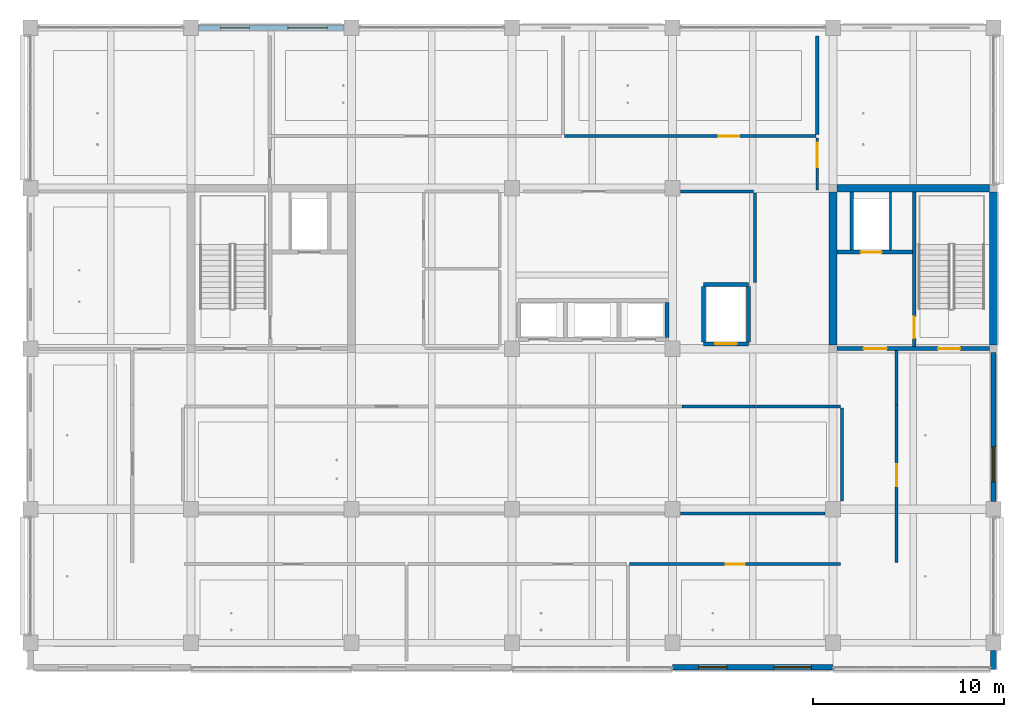
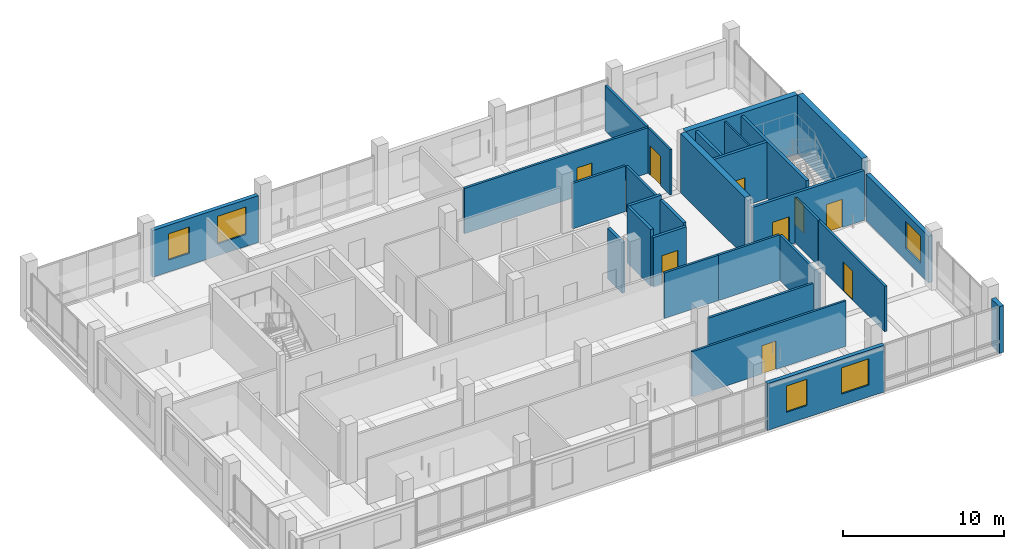
# One storey, part 13 of 34: 29 walls, 9 doors, 5 windows, 14 openings.
"""IFC4 building model written with IfcOpenShell, lengths in metres."""

from ifc_helpers import new_model, si_unit, direction, frame, frame_2d, origin, place, context, subcontext, project, spatial, rectangle, extrude, material, layer, layer_set, type_object, element, fill, save


model = new_model("IFC4")

# Units and contexts
model_context = context("Model", 3, precision=1e-05, world=origin(), true_north=direction((0.0, 1.0)))
body_context = subcontext(model_context, "Body", "Model", "MODEL_VIEW")
ifc_project = project(units=[si_unit("LENGTHUNIT", "METRE"), si_unit("AREAUNIT", "SQUARE_METRE"), si_unit("VOLUMEUNIT", "CUBIC_METRE"), si_unit("PLANEANGLEUNIT", "RADIAN"), si_unit("MASSUNIT", "GRAM", prefix="KILO")], contexts=[model_context])

# Site, building, storey
site_placement = place(None, origin())
site = spatial("IfcSite", under=ifc_project, at=site_placement, CompositionType="ELEMENT")
building_placement = place(site_placement, origin())
building = spatial("IfcBuilding", under=site, at=building_placement, Name="Telukmera Botanical Conservatory", CompositionType="ELEMENT")
storey_placement = place(building_placement, frame((0.0, 0.0, 37.5)))
storey = spatial("IfcBuildingStorey", under=building, at=storey_placement, Name="L08", CompositionType="ELEMENT", Elevation=37.5)

# Wall, openings, windows
ifc_material_1 = material(Name="Precast concrete C40/50", Category="concrete")
ifc_layer_1 = layer(ifc_material_1, 0.280029296875)
ifc_layer_set_1 = layer_set([ifc_layer_1], Name="Precast concrete C40/50")
wall_type_1 = type_object("IfcWallType", Name="Exterior Laboratory Modular Precast Wall 280", PredefinedType="ELEMENTEDWALL", material=ifc_layer_set_1)
wall_1_placement = place(storey_placement, frame((84.001953125, 9.320068359375, 0.0), z_axis=(0.0, 0.0, 1.0), x_axis=(1.0, 0.0, 0.0)))
wall_1 = element("IfcWall", 1, at=wall_1_placement, inside=storey, type_object=wall_type_1, Name="Exterior Precast Wall EW06 V4:L08:S5", PredefinedType="ELEMENTEDWALL", context=body_context, shape_type="SweptSolid", body=[
    extrude(rectangle(XDim=8.39599609375, YDim=0.280029296875, at=frame_2d((4.197998046875, 0.0))), origin(), (0.0, 0.0, 1.0), 3.550048828125),
])
opening_1_placement = place(wall_1_placement, frame((1.34912109375, 0.0, 0.89990234375)))
opening_1 = element("IfcOpeningElement", 2, at=opening_1_placement, cuts=wall_1, Name="Opening W06", PredefinedType="OPENING", context=body_context, shape_type="SweptSolid", body=[
    extrude(rectangle(XDim=1.5, YDim=2.0, at=frame_2d((0.75, 1.0))), frame((0.0, 0.14990234375, 0.0), z_axis=(0.0, -1.0, 0.0), x_axis=(1.0, 0.0, 0.0)), (0.0, 0.0, 1.0), 0.300048828125),
])
opening_2_placement = place(wall_1_placement, frame((5.322021484375, 0.0, 0.89990234375)))
opening_2 = element("IfcOpeningElement", 3, at=opening_2_placement, cuts=wall_1, Name="Opening W13", PredefinedType="OPENING", context=body_context, shape_type="SweptSolid", body=[
    extrude(rectangle(XDim=1.949951171875, YDim=2.0, at=frame_2d((0.97509765625, 1.0))), frame((0.0, 0.14990234375, 0.0), z_axis=(0.0, -1.0, 0.0), x_axis=(1.0, 0.0, 0.0)), (0.0, 0.0, 1.0), 0.300048828125),
])
ifc_material_2 = material(Name="Thermally broken anodised aluminium frame with low-E double glazing", Category="aluminium")
window_type_1 = type_object("IfcWindowType", Name="Double Vertical Laboratory Viewing Window 1500x2000", PartitioningType="DOUBLE_PANEL_VERTICAL", PredefinedType="WINDOW", material=ifc_material_2)
window_1_placement = place(opening_1_placement, origin())
window_1 = element("IfcWindow", 4, at=window_1_placement, inside=storey, type_object=window_type_1, Name="Facade Window W06 V4:L08:S5 1", OverallHeight=2.0, OverallWidth=1.5, PartitioningType="DOUBLE_PANEL_VERTICAL", PredefinedType="WINDOW", context=body_context, shape_type="SweptSolid", body=[
    extrude(rectangle(XDim=1.5, YDim=2.0, at=frame_2d((0.75, 1.0))), frame((0.0, 0.030029296875, 0.0), z_axis=(0.0, -1.0, 0.0), x_axis=(1.0, 0.0, 0.0)), (0.0, 0.0, 1.0), 0.06005859375),
])
fill(opening_1, window_1)
window_type_2 = type_object("IfcWindowType", Name="Triple Vertical Tissue Culture Lab Window 1950x2000", PartitioningType="TRIPLE_PANEL_VERTICAL", PredefinedType="WINDOW", material=ifc_material_2)
window_2_placement = place(opening_2_placement, origin())
window_2 = element("IfcWindow", 5, at=window_2_placement, inside=storey, type_object=window_type_2, Name="Facade Window W13 V4:L08:S5 2", OverallHeight=2.0, OverallWidth=1.949951171875, PartitioningType="TRIPLE_PANEL_VERTICAL", PredefinedType="WINDOW", context=body_context, shape_type="SweptSolid", body=[
    extrude(rectangle(XDim=1.949951171875, YDim=2.0, at=frame_2d((0.97509765625, 1.0))), frame((0.0, 0.030029296875, 0.0), z_axis=(0.0, -1.0, 0.0), x_axis=(1.0, 0.0, 0.0)), (0.0, 0.0, 1.0), 0.06005859375),
])
fill(opening_2, window_2)

wall_2_placement = place(storey_placement, frame((59.201904296875, 42.800048828125, 0.0), z_axis=(0.0, 0.0, 1.0), x_axis=(1.0, 0.0, 0.0)))
wall_2 = element("IfcWall", 6, at=wall_2_placement, inside=storey, type_object=wall_type_1, Name="Exterior Precast Wall EW06 V4:L08:N2", PredefinedType="ELEMENTEDWALL", context=body_context, shape_type="SweptSolid", body=[
    extrude(rectangle(XDim=7.59619140625, YDim=0.280029296875, at=frame_2d((3.798095703125, 0.0))), origin(), (0.0, 0.0, 1.0), 3.550048828125),
])
opening_3_placement = place(wall_2_placement, frame((1.14892578125, 0.0, 0.89990234375)))
opening_3 = element("IfcOpeningElement", 7, at=opening_3_placement, cuts=wall_2, Name="Opening W06", PredefinedType="OPENING", context=body_context, shape_type="SweptSolid", body=[
    extrude(rectangle(XDim=1.5, YDim=2.0, at=frame_2d((0.75, 1.0))), frame((0.0, 0.14990234375, 0.0), z_axis=(0.0, -1.0, 0.0), x_axis=(1.0, 0.0, 0.0)), (0.0, 0.0, 1.0), 0.300048828125),
])
opening_4_placement = place(wall_2_placement, frame((4.672119140625, 0.0, 0.89990234375)))
opening_4 = element("IfcOpeningElement", 8, at=opening_4_placement, cuts=wall_2, Name="Opening W14", PredefinedType="OPENING", context=body_context, shape_type="SweptSolid", body=[
    extrude(rectangle(XDim=2.050048828125, YDim=2.10009765625, at=frame_2d((1.02490234375, 1.050048828125))), frame((0.0, 0.14990234375, 0.0), z_axis=(0.0, -1.0, 0.0), x_axis=(1.0, 0.0, 0.0)), (0.0, 0.0, 1.0), 0.300048828125),
])
window_3_placement = place(opening_3_placement, origin())
window_3 = element("IfcWindow", 9, at=window_3_placement, inside=storey, type_object=window_type_1, Name="Facade Window W06 V4:L08:N2 1", OverallHeight=2.0, OverallWidth=1.5, PartitioningType="DOUBLE_PANEL_VERTICAL", PredefinedType="WINDOW", context=body_context, shape_type="SweptSolid", body=[
    extrude(rectangle(XDim=1.5, YDim=2.0, at=frame_2d((0.75, 1.0))), frame((0.0, 0.030029296875, 0.0), z_axis=(0.0, -1.0, 0.0), x_axis=(1.0, 0.0, 0.0)), (0.0, 0.0, 1.0), 0.06005859375),
])
fill(opening_3, window_3)
window_type_3 = type_object("IfcWindowType", Name="Triple Vertical Microscopy Lab Window 2050x2100", PartitioningType="TRIPLE_PANEL_VERTICAL", PredefinedType="WINDOW", material=ifc_material_2)
window_4_placement = place(opening_4_placement, origin())
window_4 = element("IfcWindow", 10, at=window_4_placement, inside=storey, type_object=window_type_3, Name="Facade Window W14 V4:L08:N2 2", OverallHeight=2.10009765625, OverallWidth=2.050048828125, PartitioningType="TRIPLE_PANEL_VERTICAL", PredefinedType="WINDOW", context=body_context, shape_type="SweptSolid", body=[
    extrude(rectangle(XDim=2.050048828125, YDim=2.10009765625, at=frame_2d((1.02490234375, 1.050048828125))), frame((0.0, 0.030029296875, 0.0), z_axis=(0.0, -1.0, 0.0), x_axis=(1.0, 0.0, 0.0)), (0.0, 0.0, 1.0), 0.06005859375),
])
fill(opening_4, window_4)

# Wall, opening, window
wall_3_placement = place(storey_placement, frame((100.800048828125, 18.001953125, 0.0), z_axis=(0.0, 0.0, 1.0), x_axis=(0.0, 1.0, 0.0)))
wall_3 = element("IfcWall", 11, at=wall_3_placement, inside=storey, type_object=wall_type_1, Name="Exterior Precast Wall EW06 V4:L08:E2", PredefinedType="ELEMENTEDWALL", context=body_context, shape_type="SweptSolid", body=[
    extrude(rectangle(XDim=7.796142578125, YDim=0.280029296875, at=frame_2d((3.89794921875, 0.0))), origin(), (0.0, 0.0, 1.0), 3.550048828125),
])
opening_5_placement = place(wall_3_placement, frame((1.02392578125, 0.0, 0.89990234375)))
opening_5 = element("IfcOpeningElement", 12, at=opening_5_placement, cuts=wall_3, Name="Opening W12", PredefinedType="OPENING", context=body_context, shape_type="SweptSolid", body=[
    extrude(rectangle(XDim=1.85009765625, YDim=2.050048828125, at=frame_2d((0.925048828125, 1.02490234375))), frame((0.0, 0.14990234375, 0.0), z_axis=(0.0, -1.0, 0.0), x_axis=(1.0, 0.0, 0.0)), (0.0, 0.0, 1.0), 0.300048828125),
])
window_type_4 = type_object("IfcWindowType", Name="Double Horizontal Seminar Suite Window 1850x2050", PartitioningType="DOUBLE_PANEL_HORIZONTAL", PredefinedType="WINDOW", material=ifc_material_2)
window_5_placement = place(opening_5_placement, origin())
window_5 = element("IfcWindow", 13, at=window_5_placement, inside=storey, type_object=window_type_4, Name="Facade Window W12 V4:L08:E2 1", OverallHeight=2.050048828125, OverallWidth=1.85009765625, PartitioningType="DOUBLE_PANEL_HORIZONTAL", PredefinedType="WINDOW", context=body_context, shape_type="SweptSolid", body=[
    extrude(rectangle(XDim=1.85009765625, YDim=2.050048828125, at=frame_2d((0.925048828125, 1.02490234375))), frame((0.0, 0.030029296875, 0.0), z_axis=(0.0, -1.0, 0.0), x_axis=(1.0, 0.0, 0.0)), (0.0, 0.0, 1.0), 0.06005859375),
])
fill(opening_5, window_5)

# Wall
ifc_material_3 = material(Name="Terracotta-faced precast concrete C40/50", Category="masonry")
ifc_layer_2 = layer(ifc_material_3, 0.300048828125)
ifc_layer_set_2 = layer_set([ifc_layer_2], Name="Terracotta-faced precast concrete C40/50")
wall_type_2 = type_object("IfcWallType", Name="Exterior Polychrome Terracotta Precast Wall 300", PredefinedType="SOLIDWALL", material=ifc_layer_set_2)
wall_4_placement = place(storey_placement, frame((100.800048828125, 9.199951171875, 0.0), z_axis=(0.0, 0.0, 1.0), x_axis=(0.0, 1.0, 0.0)))
element("IfcWall", 14, at=wall_4_placement, inside=storey, type_object=wall_type_2, Name="Exterior Precast Wall EW02 V4:L08:SEC", PredefinedType="SOLIDWALL", context=body_context, shape_type="SweptSolid", body=[
    extrude(rectangle(XDim=0.998046875, YDim=0.300048828125, at=frame_2d((0.4990234375, 0.0))), origin(), (0.0, 0.0, 1.0), 3.550048828125),
])

# Wall, openings, doors
ifc_material_4 = material(Name="Concrete C40/50", Category="concrete")
ifc_layer_3 = layer(ifc_material_4, 0.199951171875)
ifc_layer_set_3 = layer_set([ifc_layer_3], Name="Concrete C40/50")
wall_type_3 = type_object("IfcWallType", Name="WT-CORE-200", PredefinedType="SOLIDWALL", material=ifc_layer_set_3)
wall_5_placement = place(storey_placement, frame((92.60009765625, 26.0, 0.0), z_axis=(0.0, 0.0, 1.0), x_axis=(1.0, 0.0, 0.0)))
wall_5 = element("IfcWall", 15, at=wall_5_placement, inside=storey, type_object=wall_type_3, Name="L08 Core C2 South Fire Wall", PredefinedType="SOLIDWALL", context=body_context, shape_type="SweptSolid", body=[
    extrude(rectangle(XDim=8.0, YDim=0.199951171875, at=frame_2d((4.0, 0.0))), origin(), (0.0, 0.0, 1.0), 3.780029296875),
])
opening_6_placement = place(wall_5_placement, frame((1.39990234375, 0.0, 0.0)))
opening_6 = element("IfcOpeningElement", 16, at=opening_6_placement, cuts=wall_5, Name="Opening FD60C", PredefinedType="OPENING", context=body_context, shape_type="SweptSolid", body=[
    extrude(rectangle(XDim=1.219970703125, YDim=2.14990234375, at=frame_2d((0.60986328125, 1.074951171875))), frame((0.0, 0.10986328125, 0.0), z_axis=(0.0, -1.0, 0.0), x_axis=(1.0, 0.0, 0.0)), (0.0, 0.0, 1.0), 0.219970703125),
])
opening_7_placement = place(wall_5_placement, frame((5.300048828125, 0.0, 0.0)))
opening_7 = element("IfcOpeningElement", 17, at=opening_7_placement, cuts=wall_5, Name="Opening FD60A", PredefinedType="OPENING", context=body_context, shape_type="SweptSolid", body=[
    extrude(rectangle(XDim=1.14990234375, YDim=2.14990234375, at=frame_2d((0.574951171875, 1.074951171875))), frame((0.0, 0.10986328125, 0.0), z_axis=(0.0, -1.0, 0.0), x_axis=(1.0, 0.0, 0.0)), (0.0, 0.0, 1.0), 0.219970703125),
])
ifc_material_5 = material(Name="Hardwood fire door", Category="wood")
door_type_1 = type_object("IfcDoorType", Name="DT-FD60-01", OperationType="NOTDEFINED", PredefinedType="DOOR", material=ifc_material_5)
door_1_placement = place(opening_7_placement, origin())
door_1 = element("IfcDoor", 18, at=door_1_placement, inside=storey, type_object=door_type_1, Name="L08 Stair ST2 Escape Door", OperationType="SINGLE_SWING_RIGHT", OverallHeight=2.14990234375, OverallWidth=1.14990234375, PredefinedType="DOOR", context=body_context, shape_type="SweptSolid", body=[
    extrude(rectangle(XDim=1.14990234375, YDim=2.14990234375, at=frame_2d((0.574951171875, 1.074951171875))), frame((0.0, 0.02490234375, 0.0), z_axis=(0.0, -1.0, 0.0), x_axis=(1.0, 0.0, 0.0)), (0.0, 0.0, 1.0), 0.050048828125),
])
fill(opening_7, door_1)
door_type_2 = type_object("IfcDoorType", Name="DT-FD60-03", OperationType="NOTDEFINED", PredefinedType="DOOR", material=ifc_material_5)
door_2_placement = place(opening_6_placement, origin())
door_2 = element("IfcDoor", 19, at=door_2_placement, inside=storey, type_object=door_type_2, Name="L08 Firefighting Lobby C2 Door", OperationType="SINGLE_SWING_LEFT", OverallHeight=2.14990234375, OverallWidth=1.219970703125, PredefinedType="DOOR", context=body_context, shape_type="SweptSolid", body=[
    extrude(rectangle(XDim=1.219970703125, YDim=2.14990234375, at=frame_2d((0.60986328125, 1.074951171875))), frame((0.0, 0.02490234375, 0.0), z_axis=(0.0, -1.0, 0.0), x_axis=(1.0, 0.0, 0.0)), (0.0, 0.0, 1.0), 0.050048828125),
])
fill(opening_6, door_2)

# Wall, opening, door
wall_6_placement = place(storey_placement, frame((96.64990234375, 26.10009765625, 0.0), z_axis=(0.0, 0.0, 1.0), x_axis=(0.0, 1.0, 0.0)))
wall_6 = element("IfcWall", 20, at=wall_6_placement, inside=storey, type_object=wall_type_3, Name="L08 Core C2 Stair-Lobby Wall", PredefinedType="SOLIDWALL", context=body_context, shape_type="SweptSolid", body=[
    extrude(rectangle(XDim=8.099853515625, YDim=0.199951171875, at=frame_2d((4.0498046875, 0.0))), origin(), (0.0, 0.0, 1.0), 4.300048828125),
])
opening_8_placement = place(wall_6_placement, frame((0.449951171875, 0.0, 0.0)))
opening_8 = element("IfcOpeningElement", 21, at=opening_8_placement, cuts=wall_6, Name="Opening FD60B", PredefinedType="OPENING", context=body_context, shape_type="SweptSolid", body=[
    extrude(rectangle(XDim=1.1201171875, YDim=2.14990234375, at=frame_2d((0.56005859375, 1.074951171875))), frame((0.0, 0.10986328125, 0.0), z_axis=(0.0, -1.0, 0.0), x_axis=(1.0, 0.0, 0.0)), (0.0, 0.0, 1.0), 0.219970703125),
])
door_type_3 = type_object("IfcDoorType", Name="DT-FD60-02", OperationType="NOTDEFINED", PredefinedType="DOOR", material=ifc_material_5)
door_3_placement = place(opening_8_placement, frame((1.1201171875, 0.0, 0.0), z_axis=(0.0, 0.0, 1.0), x_axis=(-1.0, 0.0, 0.0)))
door_3 = element("IfcDoor", 22, at=door_3_placement, inside=storey, type_object=door_type_3, Name="L08 Firefighting Lobby C2 to ST2 Door", OperationType="SINGLE_SWING_LEFT", OverallHeight=2.14990234375, OverallWidth=1.1201171875, PredefinedType="DOOR", context=body_context, shape_type="SweptSolid", body=[
    extrude(rectangle(XDim=1.1201171875, YDim=2.14990234375, at=frame_2d((0.56005859375, 1.074951171875))), frame((0.0, 0.02490234375, 0.0), z_axis=(0.0, -1.0, 0.0), x_axis=(1.0, 0.0, 0.0)), (0.0, 0.0, 1.0), 0.050048828125),
])
fill(opening_8, door_3)

wall_7_placement = place(storey_placement, frame((92.60009765625, 31.050048828125, 0.0), z_axis=(0.0, 0.0, 1.0), x_axis=(1.0, 0.0, 0.0)))
wall_7 = element("IfcWall", 23, at=wall_7_placement, inside=storey, type_object=wall_type_3, Name="L08 Fire Lift FL2 Shaft Front Wall", PredefinedType="SOLIDWALL", context=body_context, shape_type="SweptSolid", body=[
    extrude(rectangle(XDim=3.949951171875, YDim=0.199951171875, at=frame_2d((1.97509765625, 0.0))), origin(), (0.0, 0.0, 1.0), 4.300048828125),
])
opening_9_placement = place(wall_7_placement, frame((1.25, 0.0, 0.0)))
opening_9 = element("IfcOpeningElement", 24, at=opening_9_placement, cuts=wall_7, Name="Opening LD01", PredefinedType="OPENING", context=body_context, shape_type="SweptSolid", body=[
    extrude(rectangle(XDim=1.10009765625, YDim=2.14990234375, at=frame_2d((0.550048828125, 1.074951171875))), frame((0.0, 0.10986328125, 0.0), z_axis=(0.0, -1.0, 0.0), x_axis=(1.0, 0.0, 0.0)), (0.0, 0.0, 1.0), 0.219970703125),
])
ifc_material_6 = material(Name="Stainless steel 316", Category="steel")
door_type_4 = type_object("IfcDoorType", Name="DT-LD01", OperationType="SLIDING_TO_LEFT", PredefinedType="DOOR", material=ifc_material_6)
door_4_placement = place(opening_9_placement, frame((1.10009765625, 0.0, 0.0), z_axis=(0.0, 0.0, 1.0), x_axis=(-1.0, 0.0, 0.0)))
door_4 = element("IfcDoor", 25, at=door_4_placement, inside=storey, type_object=door_type_4, Name="L08 Lift Landing Door FL2", OperationType="SLIDING_TO_LEFT", OverallHeight=2.14990234375, OverallWidth=1.10009765625, PredefinedType="DOOR", context=body_context, shape_type="SweptSolid", body=[
    extrude(rectangle(XDim=1.10009765625, YDim=2.14990234375, at=frame_2d((0.550048828125, 1.074951171875))), frame((0.0, 0.02490234375, 0.0), z_axis=(0.0, -1.0, 0.0), x_axis=(1.0, 0.0, 0.0)), (0.0, 0.0, 1.0), 0.050048828125),
])
fill(opening_9, door_4)

# Walls
wall_8_placement = place(storey_placement, frame((93.3798828125, 31.14990234375, 0.0), z_axis=(0.0, 0.0, 1.0), x_axis=(0.0, 1.0, 0.0)))
element("IfcWall", 26, at=wall_8_placement, inside=storey, type_object=wall_type_3, Name="L08 Fire Lift FL2 Shaft West Wall", PredefinedType="SOLIDWALL", context=body_context, shape_type="SweptSolid", body=[
    extrude(rectangle(XDim=3.050048828125, YDim=0.199951171875, at=frame_2d((1.52490234375, 0.0))), origin(), (0.0, 0.0, 1.0), 4.300048828125),
])
wall_9_placement = place(storey_placement, frame((83.719970703125, 26.580078125, 0.0), z_axis=(0.0, 0.0, 1.0), x_axis=(0.0, 1.0, 0.0)))
element("IfcWall", 27, at=wall_9_placement, inside=storey, type_object=wall_type_3, Name="L08 Passenger Lift Shaft Wall 4", PredefinedType="SOLIDWALL", context=body_context, shape_type="SweptSolid", body=[
    extrude(rectangle(XDim=1.83984375, YDim=0.199951171875, at=frame_2d((0.919921875, 0.0))), origin(), (0.0, 0.0, 1.0), 3.830078125),
])

# Wall, opening, door
wall_10_placement = place(storey_placement, frame((85.6201171875, 26.25, 0.0), z_axis=(0.0, 0.0, 1.0), x_axis=(1.0, 0.0, 0.0)))
wall_10 = element("IfcWall", 28, at=wall_10_placement, inside=storey, type_object=wall_type_3, Name="L08 Goods Lift GL1 Front Wall", PredefinedType="SOLIDWALL", context=body_context, shape_type="SweptSolid", body=[
    extrude(rectangle(XDim=2.35986328125, YDim=0.199951171875, at=frame_2d((1.179931640625, 0.0))), origin(), (0.0, 0.0, 1.0), 3.780029296875),
])
opening_10_placement = place(wall_10_placement, frame((0.60498046875, 0.0, 0.0)))
opening_10 = element("IfcOpeningElement", 29, at=opening_10_placement, cuts=wall_10, Name="Opening LD02", PredefinedType="OPENING", context=body_context, shape_type="SweptSolid", body=[
    extrude(rectangle(XDim=1.14990234375, YDim=2.199951171875, at=frame_2d((0.574951171875, 1.10009765625))), frame((0.0, 0.10986328125, 0.0), z_axis=(0.0, -1.0, 0.0), x_axis=(1.0, 0.0, 0.0)), (0.0, 0.0, 1.0), 0.219970703125),
])
door_type_5 = type_object("IfcDoorType", Name="DT-LD02", OperationType="SLIDING_TO_LEFT", PredefinedType="DOOR", material=ifc_material_6)
door_5_placement = place(opening_10_placement, frame((1.14990234375, 0.0, 0.0), z_axis=(0.0, 0.0, 1.0), x_axis=(-1.0, 0.0, 0.0)))
door_5 = element("IfcDoor", 30, at=door_5_placement, inside=storey, type_object=door_type_5, Name="L08 Lift Landing Door GL1", OperationType="SLIDING_TO_LEFT", OverallHeight=2.199951171875, OverallWidth=1.14990234375, PredefinedType="DOOR", context=body_context, shape_type="SweptSolid", body=[
    extrude(rectangle(XDim=1.14990234375, YDim=2.199951171875, at=frame_2d((0.574951171875, 1.10009765625))), frame((0.0, 0.02490234375, 0.0), z_axis=(0.0, -1.0, 0.0), x_axis=(1.0, 0.0, 0.0)), (0.0, 0.0, 1.0), 0.050048828125),
])
fill(opening_10, door_5)

# Walls
wall_11_placement = place(storey_placement, frame((85.6201171875, 29.35009765625, 0.0), z_axis=(0.0, 0.0, 1.0), x_axis=(1.0, 0.0, 0.0)))
element("IfcWall", 31, at=wall_11_placement, inside=storey, type_object=wall_type_3, Name="L08 Goods Lift GL1 Rear Wall", PredefinedType="SOLIDWALL", context=body_context, shape_type="SweptSolid", body=[
    extrude(rectangle(XDim=2.35986328125, YDim=0.199951171875, at=frame_2d((1.179931640625, 0.0))), origin(), (0.0, 0.0, 1.0), 4.300048828125),
])
wall_12_placement = place(storey_placement, frame((85.6201171875, 26.35009765625, 0.0), z_axis=(0.0, 0.0, 1.0), x_axis=(0.0, 1.0, 0.0)))
element("IfcWall", 32, at=wall_12_placement, inside=storey, type_object=wall_type_3, Name="L08 Goods Lift GL1 Side Wall 1", PredefinedType="SOLIDWALL", context=body_context, shape_type="SweptSolid", body=[
    extrude(rectangle(XDim=2.89990234375, YDim=0.199951171875, at=frame_2d((1.449951171875, 0.0))), origin(), (0.0, 0.0, 1.0), 4.300048828125),
])
wall_13_placement = place(storey_placement, frame((87.97998046875, 26.35009765625, 0.0), z_axis=(0.0, 0.0, 1.0), x_axis=(0.0, 1.0, 0.0)))
element("IfcWall", 33, at=wall_13_placement, inside=storey, type_object=wall_type_3, Name="L08 Goods Lift GL1 Side Wall 2", PredefinedType="SOLIDWALL", context=body_context, shape_type="SweptSolid", body=[
    extrude(rectangle(XDim=2.89990234375, YDim=0.199951171875, at=frame_2d((1.449951171875, 0.0))), origin(), (0.0, 0.0, 1.0), 3.97998046875),
])
ifc_material_7 = material(Name="Gypsum acoustic stud partition")
ifc_layer_4 = layer(ifc_material_7, 0.159912109375)
ifc_layer_set_4 = layer_set([ifc_layer_4], Name="Gypsum acoustic stud partition")
wall_type_4 = type_object("IfcWallType", Name="WT-LAB-160", PredefinedType="PARTITIONING", material=ifc_layer_set_4)
wall_14_placement = place(storey_placement, frame((88.324951171875, 29.449951171875, 0.0), z_axis=(0.0, 0.0, 1.0), x_axis=(0.0, 1.0, 0.0)))
element("IfcWall", 34, at=wall_14_placement, inside=storey, type_object=wall_type_4, Name="L08 Interior Partition 06", PredefinedType="PARTITIONING", context=body_context, shape_type="SweptSolid", body=[
    extrude(rectangle(XDim=4.699951171875, YDim=0.159912109375, at=frame_2d((2.35009765625, 0.0))), origin(), (0.0, 0.0, 1.0), 3.449951171875),
])
wall_15_placement = place(storey_placement, frame((84.429931640625, 34.22509765625, 0.0), z_axis=(0.0, 0.0, 1.0), x_axis=(1.0, 0.0, 0.0)))
element("IfcWall", 35, at=wall_15_placement, inside=storey, type_object=wall_type_4, Name="L08 Interior Partition 08", PredefinedType="PARTITIONING", context=body_context, shape_type="SweptSolid", body=[
    extrude(rectangle(XDim=3.80517578125, YDim=0.159912109375, at=frame_2d((1.902587890625, 0.0))), origin(), (0.0, 0.0, 1.0), 3.449951171875),
])
wall_16_placement = place(storey_placement, frame((84.510009765625, 22.97509765625, 0.0), z_axis=(0.0, 0.0, 1.0), x_axis=(1.0, 0.0, 0.0)))
element("IfcWall", 36, at=wall_16_placement, inside=storey, type_object=wall_type_4, Name="L08 Interior Partition 13", PredefinedType="PARTITIONING", context=body_context, shape_type="SweptSolid", body=[
    extrude(rectangle(XDim=3.889892578125, YDim=0.159912109375, at=frame_2d((1.94482421875, 0.0))), origin(), (0.0, 0.0, 1.0), 3.449951171875),
])
wall_17_placement = place(storey_placement, frame((88.409912109375, 22.97509765625, 0.0), z_axis=(0.0, 0.0, 1.0), x_axis=(1.0, 0.0, 0.0)))
element("IfcWall", 37, at=wall_17_placement, inside=storey, type_object=wall_type_4, Name="L08 Interior Partition 16", PredefinedType="PARTITIONING", context=body_context, shape_type="SweptSolid", body=[
    extrude(rectangle(XDim=4.39013671875, YDim=0.159912109375, at=frame_2d((2.195068359375, 0.0))), origin(), (0.0, 0.0, 1.0), 3.449951171875),
])
wall_18_placement = place(storey_placement, frame((95.72509765625, 23.050048828125, 0.0), z_axis=(0.0, 0.0, 1.0), x_axis=(0.0, 1.0, 0.0)))
element("IfcWall", 38, at=wall_18_placement, inside=storey, type_object=wall_type_4, Name="L08 Interior Partition 17", PredefinedType="PARTITIONING", context=body_context, shape_type="SweptSolid", body=[
    extrude(rectangle(XDim=2.849853515625, YDim=0.159912109375, at=frame_2d((1.4248046875, 0.0))), origin(), (0.0, 0.0, 1.0), 3.449951171875),
])
wall_19_placement = place(storey_placement, frame((92.875, 18.030029296875, 0.0), z_axis=(0.0, 0.0, 1.0), x_axis=(0.0, 1.0, 0.0)))
element("IfcWall", 39, at=wall_19_placement, inside=storey, type_object=wall_type_4, Name="L08 Interior Partition 20", PredefinedType="PARTITIONING", context=body_context, shape_type="SweptSolid", body=[
    extrude(rectangle(XDim=4.85498046875, YDim=0.159912109375, at=frame_2d((2.427490234375, 0.0))), origin(), (0.0, 0.0, 1.0), 3.449951171875),
])

# Wall, opening, door
wall_20_placement = place(storey_placement, frame((95.72509765625, 14.800048828125, 0.0), z_axis=(0.0, 0.0, 1.0), x_axis=(0.0, 1.0, 0.0)))
wall_20 = element("IfcWall", 40, at=wall_20_placement, inside=storey, type_object=wall_type_4, Name="L08 Interior Partition 21", PredefinedType="PARTITIONING", context=body_context, shape_type="SweptSolid", body=[
    extrude(rectangle(XDim=8.239990234375, YDim=0.159912109375, at=frame_2d((4.1201171875, 0.0))), origin(), (0.0, 0.0, 1.0), 3.449951171875),
])
opening_11_placement = place(wall_20_placement, frame((3.988525390625, 0.0, 0.0)))
opening_11 = element("IfcOpeningElement", 41, at=opening_11_placement, cuts=wall_20, Name="Opening ID09", PredefinedType="OPENING", context=body_context, shape_type="SweptSolid", body=[
    extrude(rectangle(XDim=1.159912109375, YDim=2.199951171875, at=frame_2d((0.580078125, 1.10009765625))), frame((0.0, 0.08984375, 0.0), z_axis=(0.0, -1.0, 0.0), x_axis=(1.0, 0.0, 0.0)), (0.0, 0.0, 1.0), 0.179931640625),
])
ifc_material_8 = material(Name="Phenolic faced laboratory fire door")
door_type_6 = type_object("IfcDoorType", Name="DT-LAB-116", OperationType="NOTDEFINED", PredefinedType="DOOR", material=ifc_material_8)
door_6_placement = place(opening_11_placement, frame((1.159912109375, 0.0, 0.0), z_axis=(0.0, 0.0, 1.0), x_axis=(-1.0, 0.0, 0.0)))
door_6 = element("IfcDoor", 42, at=door_6_placement, inside=storey, type_object=door_type_6, Name="L08 East Instrument Calibration Room Door", OperationType="SINGLE_SWING_LEFT", OverallHeight=2.199951171875, OverallWidth=1.159912109375, PredefinedType="DOOR", context=body_context, shape_type="SweptSolid", body=[
    extrude(rectangle(XDim=1.159912109375, YDim=2.199951171875, at=frame_2d((0.580078125, 1.10009765625))), frame((0.0, 0.02490234375, 0.0), z_axis=(0.0, -1.0, 0.0), x_axis=(1.0, 0.0, 0.0)), (0.0, 0.0, 1.0), 0.050048828125),
])
fill(opening_11, door_6)

# Wall
wall_21_placement = place(storey_placement, frame((84.429931640625, 17.375, 0.0), z_axis=(0.0, 0.0, 1.0), x_axis=(1.0, 0.0, 0.0)))
element("IfcWall", 43, at=wall_21_placement, inside=storey, type_object=wall_type_4, Name="L08 Interior Partition 25", PredefinedType="PARTITIONING", context=body_context, shape_type="SweptSolid", body=[
    extrude(rectangle(XDim=7.5400390625, YDim=0.159912109375, at=frame_2d((3.77001953125, 0.0))), origin(), (0.0, 0.0, 1.0), 3.449951171875),
])

# Wall, opening, door
wall_22_placement = place(storey_placement, frame((78.35009765625, 37.125, 0.0), z_axis=(0.0, 0.0, 1.0), x_axis=(1.0, 0.0, 0.0)))
wall_22 = element("IfcWall", 44, at=wall_22_placement, inside=storey, type_object=wall_type_4, Name="L08 Interior Partition 33", PredefinedType="PARTITIONING", context=body_context, shape_type="SweptSolid", body=[
    extrude(rectangle(XDim=13.14990234375, YDim=0.159912109375, at=frame_2d((6.574951171875, 0.0))), origin(), (0.0, 0.0, 1.0), 3.449951171875),
])
opening_12_placement = place(wall_22_placement, frame((8.076904296875, 0.0, 0.0)))
opening_12 = element("IfcOpeningElement", 45, at=opening_12_placement, cuts=wall_22, Name="Opening ID12", PredefinedType="OPENING", context=body_context, shape_type="SweptSolid", body=[
    extrude(rectangle(XDim=1.06005859375, YDim=2.179931640625, at=frame_2d((0.530029296875, 1.08984375))), frame((0.0, 0.08984375, 0.0), z_axis=(0.0, -1.0, 0.0), x_axis=(1.0, 0.0, 0.0)), (0.0, 0.0, 1.0), 0.179931640625),
])
ifc_material_9 = material(Name="Light-tight microscopy door")
door_type_7 = type_object("IfcDoorType", Name="DT-MIC-106", OperationType="NOTDEFINED", PredefinedType="DOOR", material=ifc_material_9)
door_7_placement = place(opening_12_placement, origin())
door_7 = element("IfcDoor", 46, at=door_7_placement, inside=storey, type_object=door_type_7, Name="L08 Cell Biology Microscopy Laboratory Door", OperationType="SINGLE_SWING_LEFT", OverallHeight=2.179931640625, OverallWidth=1.06005859375, PredefinedType="DOOR", context=body_context, shape_type="SweptSolid", body=[
    extrude(rectangle(XDim=1.06005859375, YDim=2.179931640625, at=frame_2d((0.530029296875, 1.08984375))), frame((0.0, 0.02490234375, 0.0), z_axis=(0.0, -1.0, 0.0), x_axis=(1.0, 0.0, 0.0)), (0.0, 0.0, 1.0), 0.050048828125),
])
fill(opening_12, door_7)

# Walls
wall_23_placement = place(storey_placement, frame((91.574951171875, 37.215087890625, 0.0), z_axis=(0.0, 0.0, 1.0), x_axis=(0.0, 1.0, 0.0)))
element("IfcWall", 47, at=wall_23_placement, inside=storey, type_object=wall_type_4, Name="L08 Interior Partition 37", PredefinedType="PARTITIONING", context=body_context, shape_type="SweptSolid", body=[
    extrude(rectangle(XDim=5.135009765625, YDim=0.159912109375, at=frame_2d((2.5673828125, 0.0))), origin(), (0.0, 0.0, 1.0), 3.449951171875),
])
ifc_material_10 = material(Name="Gypsum shaftwall liner")
ifc_layer_5 = layer(ifc_material_10, 0.110107421875)
ifc_layer_set_5 = layer_set([ifc_layer_5], Name="Gypsum shaftwall liner")
wall_type_5 = type_object("IfcWallType", Name="WT-RISER-110", PredefinedType="PARTITIONING", material=ifc_layer_set_5)
wall_24_placement = place(storey_placement, frame((95.419921875, 31.14990234375, 0.0), z_axis=(0.0, 0.0, 1.0), x_axis=(0.0, 1.0, 0.0)))
element("IfcWall", 48, at=wall_24_placement, inside=storey, type_object=wall_type_5, Name="L08 Wet Riser C2 Shaft Wall", PredefinedType="PARTITIONING", context=body_context, shape_type="SweptSolid", body=[
    extrude(rectangle(XDim=3.050048828125, YDim=0.110107421875, at=frame_2d((1.52490234375, 0.0))), origin(), (0.0, 0.0, 1.0), 4.300048828125),
])

# Wall, opening, door
ifc_layer_6 = layer(ifc_material_7, 0.14990234375)
ifc_layer_set_6 = layer_set([ifc_layer_6], Name="Gypsum acoustic stud partition")
wall_type_6 = type_object("IfcWallType", Name="WT-STD-150", PredefinedType="PARTITIONING", material=ifc_layer_set_6)
wall_25_placement = place(storey_placement, frame((81.75, 14.72509765625, 0.0), z_axis=(0.0, 0.0, 1.0), x_axis=(1.0, 0.0, 0.0)))
wall_25 = element("IfcWall", 49, at=wall_25_placement, inside=storey, type_object=wall_type_6, Name="L08 Interior Partition 28", PredefinedType="PARTITIONING", context=body_context, shape_type="SweptSolid", body=[
    extrude(rectangle(XDim=11.050048828125, YDim=0.14990234375, at=frame_2d((5.52490234375, 0.0))), origin(), (0.0, 0.0, 1.0), 3.449951171875),
])
opening_13_placement = place(wall_25_placement, frame((5.02490234375, 0.0, 0.0)))
opening_13 = element("IfcOpeningElement", 50, at=opening_13_placement, cuts=wall_25, Name="Opening ID14", PredefinedType="OPENING", context=body_context, shape_type="SweptSolid", body=[
    extrude(rectangle(XDim=1.0, YDim=2.14990234375, at=frame_2d((0.5, 1.074951171875))), frame((0.0, 0.0849609375, 0.0), z_axis=(0.0, -1.0, 0.0), x_axis=(1.0, 0.0, 0.0)), (0.0, 0.0, 1.0), 0.169921875),
])
ifc_material_11 = material(Name="Acoustic timber office door", Category="wood")
door_type_8 = type_object("IfcDoorType", Name="DT-WRT-100", OperationType="NOTDEFINED", PredefinedType="DOOR", material=ifc_material_11)
door_8_placement = place(opening_13_placement, frame((1.0, 0.0, 0.0), z_axis=(0.0, 0.0, 1.0), x_axis=(-1.0, 0.0, 0.0)))
door_8 = element("IfcDoor", 51, at=door_8_placement, inside=storey, type_object=door_type_8, Name="L08 Botanical Data Curation Studio Door", OperationType="SINGLE_SWING_RIGHT", OverallHeight=2.14990234375, OverallWidth=1.0, PredefinedType="DOOR", context=body_context, shape_type="SweptSolid", body=[
    extrude(rectangle(XDim=1.0, YDim=2.14990234375, at=frame_2d((0.5, 1.074951171875))), frame((0.0, 0.02490234375, 0.0), z_axis=(0.0, -1.0, 0.0), x_axis=(1.0, 0.0, 0.0)), (0.0, 0.0, 1.0), 0.050048828125),
])
fill(opening_13, door_8)

wall_26_placement = place(storey_placement, frame((91.574951171875, 34.300048828125, 0.0), z_axis=(0.0, 0.0, 1.0), x_axis=(0.0, 1.0, 0.0)))
wall_26 = element("IfcWall", 52, at=wall_26_placement, inside=storey, type_object=wall_type_6, Name="L08 Interior Partition 34", PredefinedType="PARTITIONING", context=body_context, shape_type="SweptSolid", body=[
    extrude(rectangle(XDim=2.73486328125, YDim=0.14990234375, at=frame_2d((1.367431640625, 0.0))), origin(), (0.0, 0.0, 1.0), 3.449951171875),
])
opening_14_placement = place(wall_26_placement, frame((1.18505859375, 0.0, 0.0)))
opening_14 = element("IfcOpeningElement", 53, at=opening_14_placement, cuts=wall_26, Name="Opening ID07", PredefinedType="OPENING", context=body_context, shape_type="SweptSolid", body=[
    extrude(rectangle(XDim=1.300048828125, YDim=2.25, at=frame_2d((0.64990234375, 1.125))), frame((0.0, 0.0849609375, 0.0), z_axis=(0.0, -1.0, 0.0), x_axis=(1.0, 0.0, 0.0)), (0.0, 0.0, 1.0), 0.169921875),
])
ifc_material_12 = material(Name="Acoustic timber seminar door", Category="wood")
door_type_9 = type_object("IfcDoorType", Name="DT-SEM-130", OperationType="NOTDEFINED", PredefinedType="DOOR", material=ifc_material_12)
door_9_placement = place(opening_14_placement, frame((1.300048828125, 0.0, 0.0), z_axis=(0.0, 0.0, 1.0), x_axis=(-1.0, 0.0, 0.0)))
door_9 = element("IfcDoor", 54, at=door_9_placement, inside=storey, type_object=door_type_9, Name="L08 Research Seminar Studio Door", OperationType="SINGLE_SWING_RIGHT", OverallHeight=2.25, OverallWidth=1.300048828125, PredefinedType="DOOR", context=body_context, shape_type="SweptSolid", body=[
    extrude(rectangle(XDim=1.300048828125, YDim=2.25, at=frame_2d((0.64990234375, 1.125))), frame((0.0, 0.02490234375, 0.0), z_axis=(0.0, -1.0, 0.0), x_axis=(1.0, 0.0, 0.0)), (0.0, 0.0, 1.0), 0.050048828125),
])
fill(opening_14, door_9)

# Walls
ifc_material_13 = material(Name="Concrete C50/60", Category="concrete")
ifc_layer_7 = layer(ifc_material_13, 0.39990234375)
ifc_layer_set_7 = layer_set([ifc_layer_7], Name="Concrete C50/60")
wall_type_7 = type_object("IfcWallType", Name="Wall_CW1", PredefinedType="SHEAR", material=ifc_layer_set_7)
for number, where, z_axis, x_axis, name in (
    (55, (92.39990234375, 26.199951171875, 0.0), (0.0, 0.0, 1.0), (0.0, 1.0, 0.0), "Core C2 Shear Wall West L08"),
    (56, (100.800048828125, 26.199951171875, 0.0), (0.0, 0.0, 1.0), (0.0, 1.0, 0.0), "Core C2 Shear Wall East L08"),
    (57, (92.60009765625, 34.39990234375, 0.0), (0.0, 0.0, 1.0), (1.0, 0.0, 0.0), "Core C2 Shear Wall North L08"),
):
    element("IfcWall", number, at=place(storey_placement, frame(where, z_axis=z_axis, x_axis=x_axis)), inside=storey, type_object=wall_type_7, Name=name, PredefinedType="SHEAR", context=body_context, shape_type="SweptSolid", body=[
        extrude(rectangle(XDim=8.0, YDim=0.39990234375, at=frame_2d((4.0, 0.0))), origin(), (0.0, 0.0, 1.0), 4.5),
    ])

save(model, "model.ifc")
